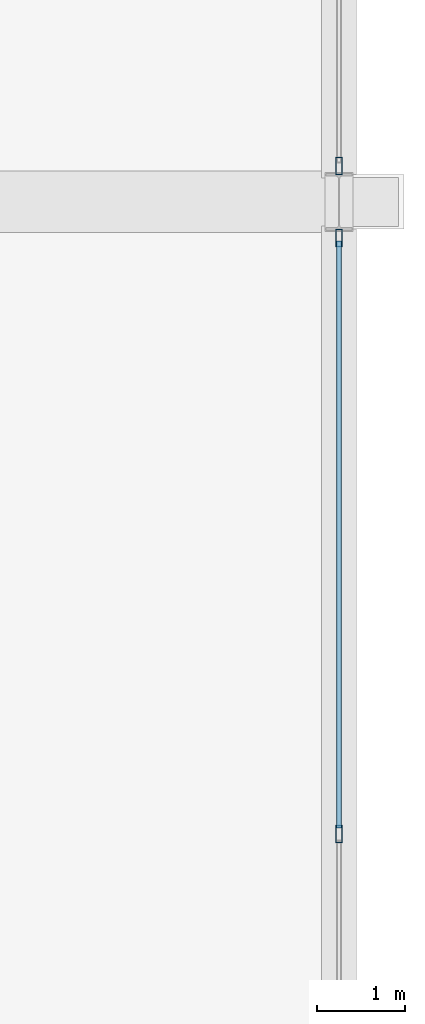
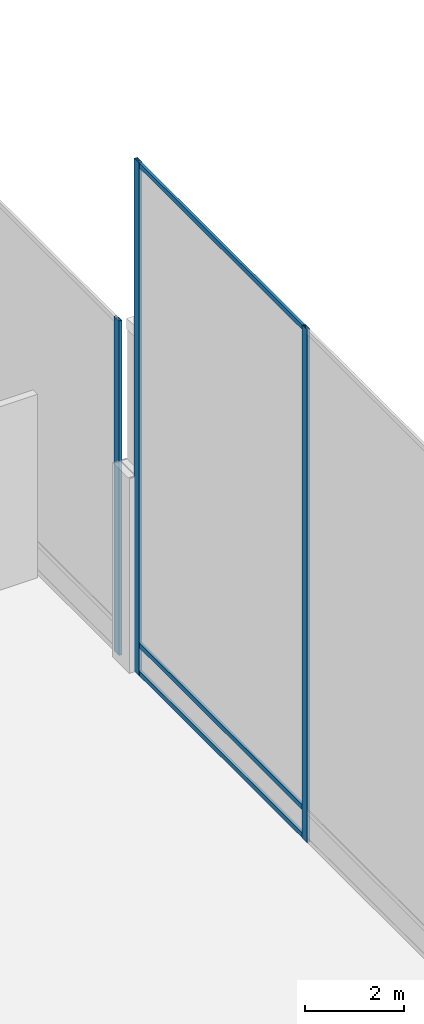
# One storey, part 95 of 193: 6 members, 2 elements without a shape of their own.
"""IFC4 building model written with IfcOpenShell, lengths in metres."""

from ifc_helpers import new_model, si_unit, direction, frame, origin, origin_2d, place, context, subcontext, project, spatial, hollow_rectangle, extrude, material, material_profile, profile_set, type_object, element, aggregate, save


model = new_model("IFC4")

# Units and contexts
model_context = context("Model", 3, precision=1e-05, world=origin(), true_north=direction((0.0, 1.0)))
body_context = subcontext(model_context, "Body", "Model", "MODEL_VIEW")
ifc_project = project(units=[si_unit("LENGTHUNIT", "METRE"), si_unit("AREAUNIT", "SQUARE_METRE"), si_unit("VOLUMEUNIT", "CUBIC_METRE"), si_unit("PLANEANGLEUNIT", "RADIAN"), si_unit("MASSUNIT", "GRAM", prefix="KILO")], contexts=[model_context])

# Site, building, storey
site_placement = place(None, origin())
site = spatial("IfcSite", under=ifc_project, at=site_placement, CompositionType="ELEMENT")
building_placement = place(site_placement, origin())
building = spatial("IfcBuilding", under=site, at=building_placement, Name="Cendralis Lancet Convention Centre", CompositionType="ELEMENT")
storey_placement = place(building_placement, frame((0.0, 0.0, 10.199951171875)))
storey = spatial("IfcBuildingStorey", under=building, at=storey_placement, Name="L02", CompositionType="ELEMENT", Elevation=10.199951171875)

# Curtain wall, members
ifc_material = material(Name="Anodised bronze architectural aluminium", Category="aluminium")
curtain_wall_type = type_object("IfcCurtainWallType", Name="ARC-CW-BL02", PredefinedType="USERDEFINED", material=ifc_material)
curtain_wall_1_placement = place(storey_placement, origin())
curtain_wall_1 = element("IfcCurtainWall", 1, at=curtain_wall_1_placement, inside=storey, type_object=curtain_wall_type, Name="L02 Curtain Wall CW-BL2 #161", ObjectType="CURTAIN WALL", PredefinedType="USERDEFINED")
ifc_material_profile_1 = material_profile(ifc_material, hollow_rectangle(XDim=0.070068359375, YDim=0.199951171875, WallThickness=0.0048828125, at=origin_2d()), Name="AL-MULL 70x200x5.0")
ifc_profile_set_1 = profile_set([ifc_material_profile_1], Name="Anodised bronze architectural aluminium")
member_type_1 = type_object("IfcMemberType", Name="ARC-CW-ML02", PredefinedType="MULLION", material=ifc_profile_set_1)
member_1_placement = place(storey_placement, frame((208.800048828125, 121.989990234375, 0.0), z_axis=(0.0, 0.0, 1.0), x_axis=(1.0, 0.0, 0.0)))
member_1 = element("IfcMember", 2, at=member_1_placement, type_object=member_type_1, Name="Mullion CW2-CW-BL2-L02-161-M0", PredefinedType="MULLION", context=body_context, shape_type="SweptSolid", body=[
    extrude(hollow_rectangle(XDim=0.070068359375, YDim=0.199951171875, WallThickness=0.0048828125, at=origin_2d()), origin(), (0.0, 0.0, 1.0), 12.650146484375),
])
member_2_placement = place(storey_placement, frame((208.800048828125, 115.199951171875, 0.0), z_axis=(0.0, 0.0, 1.0), x_axis=(1.0, 0.0, 0.0)))
member_2 = element("IfcMember", 3, at=member_2_placement, type_object=member_type_1, Name="Mullion CW2-CW-BL2-L02-161-M1", PredefinedType="MULLION", context=body_context, shape_type="SweptSolid", body=[
    extrude(hollow_rectangle(XDim=0.070068359375, YDim=0.199951171875, WallThickness=0.0048828125, at=origin_2d()), origin(), (0.0, 0.0, 1.0), 12.650146484375),
])

# Curtain wall, member
curtain_wall_2_placement = place(storey_placement, origin())
curtain_wall_2 = element("IfcCurtainWall", 4, at=curtain_wall_2_placement, inside=storey, type_object=curtain_wall_type, Name="L02 Curtain Wall CW-BL2 #162", ObjectType="CURTAIN WALL", PredefinedType="USERDEFINED")
member_3_placement = place(storey_placement, frame((208.800048828125, 122.81005859375, 0.0), z_axis=(0.0, 0.0, 1.0), x_axis=(1.0, 0.0, 0.0)))
member_3 = element("IfcMember", 5, at=member_3_placement, type_object=member_type_1, Name="Mullion CW2-CW-BL2-L02-162-M2", PredefinedType="MULLION", context=body_context, shape_type="SweptSolid", body=[
    extrude(hollow_rectangle(XDim=0.070068359375, YDim=0.199951171875, WallThickness=0.0048828125, at=origin_2d()), origin(), (0.0, 0.0, 1.0), 8.25),
])
aggregate(curtain_wall_2, [member_3])

# Member
ifc_material_profile_2 = material_profile(ifc_material, hollow_rectangle(XDim=0.06005859375, YDim=0.1201171875, WallThickness=0.00390625, at=origin_2d()), Name="AL-TRAN 60x120x4.0")
ifc_profile_set_2 = profile_set([ifc_material_profile_2], Name="Anodised bronze architectural aluminium")
member_type_2 = type_object("IfcMemberType", Name="ARC-CW-TR01", PredefinedType="USERDEFINED", material=ifc_profile_set_2)
member_4_placement = place(storey_placement, frame((208.800048828125, 121.955078125, 0.06005859375), z_axis=(0.0, -1.0, 0.0), x_axis=(1.0, 0.0, 0.0)))
member_4 = element("IfcMember", 6, at=member_4_placement, type_object=member_type_2, Name="Transom CW2-CW-BL2-L02-161-T0BOT", ObjectType="TRANSOM", PredefinedType="USERDEFINED", context=body_context, shape_type="SweptSolid", body=[
    extrude(hollow_rectangle(XDim=0.06005859375, YDim=0.1201171875, WallThickness=0.00390625, at=origin_2d()), origin(), (0.0, 0.0, 1.0), 6.68505859375),
])

member_5_placement = place(storey_placement, frame((208.800048828125, 121.955078125, 0.75), z_axis=(0.0, -1.0, 0.0), x_axis=(1.0, 0.0, 0.0)))
member_5 = element("IfcMember", 7, at=member_5_placement, type_object=member_type_2, Name="Transom CW2-CW-BL2-L02-161-T0MID", ObjectType="TRANSOM", PredefinedType="USERDEFINED", context=body_context, shape_type="SweptSolid", body=[
    extrude(hollow_rectangle(XDim=0.06005859375, YDim=0.1201171875, WallThickness=0.00390625, at=origin_2d()), origin(), (0.0, 0.0, 1.0), 6.68505859375),
])

member_6_placement = place(storey_placement, frame((208.800048828125, 121.955078125, 12.590087890625), z_axis=(0.0, -1.0, 0.0), x_axis=(1.0, 0.0, 0.0)))
member_6 = element("IfcMember", 8, at=member_6_placement, type_object=member_type_2, Name="Transom CW2-CW-BL2-L02-161-T0TOP", ObjectType="TRANSOM", PredefinedType="USERDEFINED", context=body_context, shape_type="SweptSolid", body=[
    extrude(hollow_rectangle(XDim=0.06005859375, YDim=0.1201171875, WallThickness=0.00390625, at=origin_2d()), origin(), (0.0, 0.0, 1.0), 6.68505859375),
])

aggregate(curtain_wall_1, [member_1, member_2, member_4, member_5, member_6])

save(model, "model.ifc")
